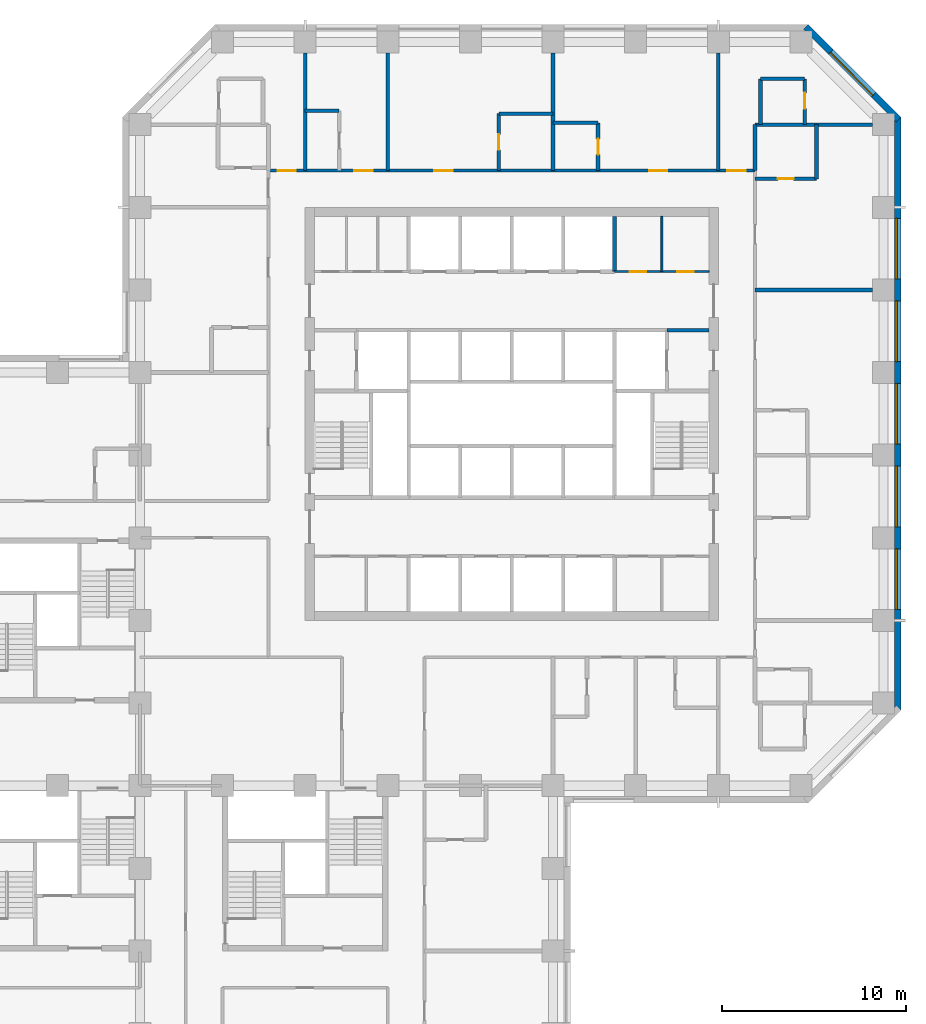
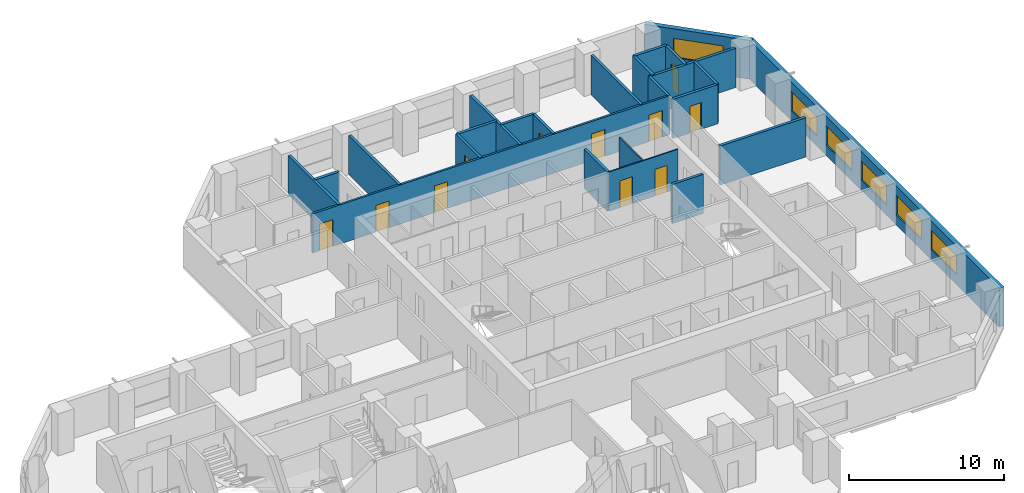
# One storey, part 10 of 13: 24 walls, 11 doors, 6 windows, 17 openings.
"""IFC4 building model written with IfcOpenShell, lengths in metres."""

from ifc_helpers import new_model, si_unit, direction, frame, frame_2d, origin, place, context, subcontext, project, spatial, rectangle, extrude, material, layer, layer_set, constituent, constituent_set, type_object, element, fill, save


model = new_model("IFC4")

# Units and contexts
model_context = context("Model", 3, precision=1e-05, world=origin(), true_north=direction((0.0, 1.0)))
body_context = subcontext(model_context, "Body", "Model", "MODEL_VIEW")
ifc_project = project(units=[si_unit("LENGTHUNIT", "METRE"), si_unit("AREAUNIT", "SQUARE_METRE"), si_unit("VOLUMEUNIT", "CUBIC_METRE"), si_unit("PLANEANGLEUNIT", "RADIAN"), si_unit("MASSUNIT", "GRAM", prefix="KILO")], contexts=[model_context])

# Site, building, storey
site_placement = place(None, origin())
site = spatial("IfcSite", under=ifc_project, at=site_placement, CompositionType="ELEMENT")
building_placement = place(site_placement, origin())
building = spatial("IfcBuilding", under=site, at=building_placement, Name="Quoin Convention Tower", CompositionType="ELEMENT")
storey_placement = place(building_placement, frame((0.0, 0.0, 49.5)))
storey = spatial("IfcBuildingStorey", under=building, at=storey_placement, Name="L12", CompositionType="ELEMENT", Elevation=49.5)

# Wall, openings, windows
ifc_material_1 = material(Name="Brick masonry", Category="masonry")
ifc_layer_1 = layer(ifc_material_1, 0.35009765625)
ifc_layer_set_1 = layer_set([ifc_layer_1], Name="Brick masonry")
wall_type_1 = type_object("IfcWallType", Name="Brick facade wall", PredefinedType="STANDARD", material=ifc_layer_set_1)
wall_1_placement = place(storey_placement, frame((77.27490234375, 44.6064453125, 0.0), z_axis=(0.0, 0.0, 1.0), x_axis=(0.0, 1.0, 0.0)))
wall_1 = element("IfcWall", 1, at=wall_1_placement, inside=storey, type_object=wall_type_1, Name="fw-L12-76500_45000", PredefinedType="STANDARD", context=body_context, shape_type="SweptSolid", body=[
    extrude(rectangle(XDim=32.287109375, YDim=0.35009765625, at=frame_2d((16.1435546875, 0.0))), origin(), (0.0, 0.0, 1.0), 3.054931640625),
])
opening_1_placement = place(wall_1_placement, frame((5.493408203125, 0.0, 0.800048828125)))
opening_1 = element("IfcOpeningElement", 2, at=opening_1_placement, cuts=wall_1, Name="Opening W-01", PredefinedType="OPENING", context=body_context, shape_type="SweptSolid", body=[
    extrude(rectangle(XDim=3.300048828125, YDim=1.5, at=frame_2d((1.64990234375, 0.75))), frame((0.0, 0.18505859375, 0.0), z_axis=(0.0, -1.0, 0.0), x_axis=(1.0, 0.0, 0.0)), (0.0, 0.0, 1.0), 0.3701171875),
])
opening_2_placement = place(wall_1_placement, frame((9.993408203125, 0.0, 0.800048828125)))
opening_2 = element("IfcOpeningElement", 3, at=opening_2_placement, cuts=wall_1, Name="Opening W-01", PredefinedType="OPENING", context=body_context, shape_type="SweptSolid", body=[
    extrude(rectangle(XDim=3.300048828125, YDim=1.5, at=frame_2d((1.64990234375, 0.75))), frame((0.0, 0.18505859375, 0.0), z_axis=(0.0, -1.0, 0.0), x_axis=(1.0, 0.0, 0.0)), (0.0, 0.0, 1.0), 0.3701171875),
])
opening_3_placement = place(wall_1_placement, frame((14.493408203125, 0.0, 0.800048828125)))
opening_3 = element("IfcOpeningElement", 4, at=opening_3_placement, cuts=wall_1, Name="Opening W-01", PredefinedType="OPENING", context=body_context, shape_type="SweptSolid", body=[
    extrude(rectangle(XDim=3.300048828125, YDim=1.5, at=frame_2d((1.64990234375, 0.75))), frame((0.0, 0.18505859375, 0.0), z_axis=(0.0, -1.0, 0.0), x_axis=(1.0, 0.0, 0.0)), (0.0, 0.0, 1.0), 0.3701171875),
])
opening_4_placement = place(wall_1_placement, frame((18.993408203125, 0.0, 0.800048828125)))
opening_4 = element("IfcOpeningElement", 5, at=opening_4_placement, cuts=wall_1, Name="Opening W-01", PredefinedType="OPENING", context=body_context, shape_type="SweptSolid", body=[
    extrude(rectangle(XDim=3.300048828125, YDim=1.5, at=frame_2d((1.64990234375, 0.75))), frame((0.0, 0.18505859375, 0.0), z_axis=(0.0, -1.0, 0.0), x_axis=(1.0, 0.0, 0.0)), (0.0, 0.0, 1.0), 0.3701171875),
])
opening_5_placement = place(wall_1_placement, frame((23.493408203125, 0.0, 0.800048828125)))
opening_5 = element("IfcOpeningElement", 6, at=opening_5_placement, cuts=wall_1, Name="Opening W-01", PredefinedType="OPENING", context=body_context, shape_type="SweptSolid", body=[
    extrude(rectangle(XDim=3.300048828125, YDim=1.5, at=frame_2d((1.64990234375, 0.75))), frame((0.0, 0.18505859375, 0.0), z_axis=(0.0, -1.0, 0.0), x_axis=(1.0, 0.0, 0.0)), (0.0, 0.0, 1.0), 0.3701171875),
])
ifc_material_2 = material(Name="Aluminium", Category="aluminium")
ifc_constituent_1 = constituent(ifc_material_2, Name="Frame")
ifc_material_3 = material(Name="Insulated glass", Category="glass")
ifc_constituent_2 = constituent(ifc_material_3, Name="Glazing")
ifc_constituent_set = constituent_set(constituents=[ifc_constituent_1, ifc_constituent_2], Name="Aluminium")
window_type = type_object("IfcWindowType", Name="Hotel strip window", PartitioningType="DOUBLE_PANEL_VERTICAL", PredefinedType="WINDOW", material=ifc_constituent_set)
window_1_placement = place(opening_1_placement, origin())
window_1 = element("IfcWindow", 7, at=window_1_placement, inside=storey, type_object=window_type, Name="win-L12-77275_51750", OverallHeight=1.5, OverallWidth=3.300048828125, PartitioningType="SINGLE_PANEL", PredefinedType="WINDOW", context=body_context, shape_type="SweptSolid", body=[
    extrude(rectangle(XDim=3.300048828125, YDim=1.5, at=frame_2d((1.64990234375, 0.75))), frame((0.0, 0.0849609375, 0.0), z_axis=(0.0, -1.0, 0.0), x_axis=(1.0, 0.0, 0.0)), (0.0, 0.0, 1.0), 0.06005859375),
])
fill(opening_1, window_1)
window_2_placement = place(opening_2_placement, origin())
window_2 = element("IfcWindow", 8, at=window_2_placement, inside=storey, type_object=window_type, Name="win-L12-77275_56250", OverallHeight=1.5, OverallWidth=3.300048828125, PartitioningType="SINGLE_PANEL", PredefinedType="WINDOW", context=body_context, shape_type="SweptSolid", body=[
    extrude(rectangle(XDim=3.300048828125, YDim=1.5, at=frame_2d((1.64990234375, 0.75))), frame((0.0, 0.0849609375, 0.0), z_axis=(0.0, -1.0, 0.0), x_axis=(1.0, 0.0, 0.0)), (0.0, 0.0, 1.0), 0.06005859375),
])
fill(opening_2, window_2)
window_3_placement = place(opening_3_placement, origin())
window_3 = element("IfcWindow", 9, at=window_3_placement, inside=storey, type_object=window_type, Name="win-L12-77275_60750", OverallHeight=1.5, OverallWidth=3.300048828125, PartitioningType="SINGLE_PANEL", PredefinedType="WINDOW", context=body_context, shape_type="SweptSolid", body=[
    extrude(rectangle(XDim=3.300048828125, YDim=1.5, at=frame_2d((1.64990234375, 0.75))), frame((0.0, 0.0849609375, 0.0), z_axis=(0.0, -1.0, 0.0), x_axis=(1.0, 0.0, 0.0)), (0.0, 0.0, 1.0), 0.06005859375),
])
fill(opening_3, window_3)
window_4_placement = place(opening_4_placement, origin())
window_4 = element("IfcWindow", 10, at=window_4_placement, inside=storey, type_object=window_type, Name="win-L12-77275_65250", OverallHeight=1.5, OverallWidth=3.300048828125, PartitioningType="SINGLE_PANEL", PredefinedType="WINDOW", context=body_context, shape_type="SweptSolid", body=[
    extrude(rectangle(XDim=3.300048828125, YDim=1.5, at=frame_2d((1.64990234375, 0.75))), frame((0.0, 0.0849609375, 0.0), z_axis=(0.0, -1.0, 0.0), x_axis=(1.0, 0.0, 0.0)), (0.0, 0.0, 1.0), 0.06005859375),
])
fill(opening_4, window_4)
window_5_placement = place(opening_5_placement, origin())
window_5 = element("IfcWindow", 11, at=window_5_placement, inside=storey, type_object=window_type, Name="win-L12-77275_69750", OverallHeight=1.5, OverallWidth=3.300048828125, PartitioningType="SINGLE_PANEL", PredefinedType="WINDOW", context=body_context, shape_type="SweptSolid", body=[
    extrude(rectangle(XDim=3.300048828125, YDim=1.5, at=frame_2d((1.64990234375, 0.75))), frame((0.0, 0.0849609375, 0.0), z_axis=(0.0, -1.0, 0.0), x_axis=(1.0, 0.0, 0.0)), (0.0, 0.0, 1.0), 0.06005859375),
])
fill(opening_5, window_5)

# Wall, opening, window
wall_2_placement = place(storey_placement, frame((77.326416015625, 76.769775390625, 0.0), z_axis=(0.0, 0.0, 1.0), x_axis=(-0.707106781187, 0.707106781187, 0.0)))
wall_2 = element("IfcWall", 12, at=wall_2_placement, inside=storey, type_object=wall_type_1, Name="fw-L12-76500_76500", PredefinedType="STANDARD", context=body_context, shape_type="SweptSolid", body=[
    extrude(rectangle(XDim=7.151123046875, YDim=0.35009765625, at=frame_2d((3.57568359375, 0.0))), origin(), (0.0, 0.0, 1.0), 3.054931640625),
])
opening_6_placement = place(wall_2_placement, frame((1.925537109375, 0.0, 0.800048828125)))
opening_6 = element("IfcOpeningElement", 13, at=opening_6_placement, cuts=wall_2, Name="Opening W-01", PredefinedType="OPENING", context=body_context, shape_type="SweptSolid", body=[
    extrude(rectangle(XDim=3.300048828125, YDim=1.5, at=frame_2d((1.64990234375, 0.75))), frame((0.0, 0.18505859375, 0.0), z_axis=(0.0, -1.0, 0.0), x_axis=(1.0, 0.0, 0.0)), (0.0, 0.0, 1.0), 0.3701171875),
])
window_6_placement = place(opening_6_placement, origin())
window_6 = element("IfcWindow", 14, at=window_6_placement, inside=storey, type_object=window_type, Name="win-L12-74798_79298", OverallHeight=1.5, OverallWidth=3.300048828125, PartitioningType="SINGLE_PANEL", PredefinedType="WINDOW", context=body_context, shape_type="SweptSolid", body=[
    extrude(rectangle(XDim=3.300048828125, YDim=1.5, at=frame_2d((1.64990234375, 0.75))), frame((0.0, 0.0849609375, 0.0), z_axis=(0.0, -1.0, 0.0), x_axis=(1.0, 0.0, 0.0)), (0.0, 0.0, 1.0), 0.06005859375),
])
fill(opening_6, window_6)

# Wall, openings, doors
ifc_material_4 = material(Name="Plasterboard")
ifc_layer_2 = layer(ifc_material_4, 0.012451171875, Name="Finish")
ifc_material_5 = material(Name="Steel stud framing", Category="steel")
ifc_layer_3 = layer(ifc_material_5, 0.074951171875, Name="Structure")
ifc_layer_4 = layer(ifc_material_4, 0.012451171875, Name="Finish")
ifc_layer_set_2 = layer_set([ifc_layer_2, ifc_layer_3, ifc_layer_4], Name="Steel stud framing")
wall_type_2 = type_object("IfcWallType", Name="Core partition wall", PredefinedType="PARTITIONING", material=ifc_layer_set_2)
wall_3_placement = place(storey_placement, frame((61.85009765625, 68.5, 0.0), z_axis=(0.0, 0.0, 1.0), x_axis=(1.0, 0.0, 0.0)))
wall_3 = element("IfcWall", 15, at=wall_3_placement, inside=storey, type_object=wall_type_2, Name="cr-C1-L12-h19000_16850", PredefinedType="PARTITIONING", context=body_context, shape_type="SweptSolid", body=[
    extrude(rectangle(XDim=5.14990234375, YDim=0.10009765625, at=frame_2d((2.574951171875, 0.0))), origin(), (0.0, 0.0, 1.0), 3.080078125),
])
opening_7_placement = place(wall_3_placement, frame((3.41259765625, 0.0, 0.0)))
opening_7 = element("IfcOpeningElement", 16, at=opening_7_placement, cuts=wall_3, Name="Opening DCV4-03", PredefinedType="OPENING", context=body_context, shape_type="SweptSolid", body=[
    extrude(rectangle(XDim=0.89990234375, YDim=2.10009765625, at=frame_2d((0.449951171875, 1.050048828125))), frame((0.0, 0.06005859375, 0.0), z_axis=(0.0, -1.0, 0.0), x_axis=(1.0, 0.0, 0.0)), (0.0, 0.0, 1.0), 0.1201171875),
])
opening_8_placement = place(wall_3_placement, frame((0.83740234375, 0.0, 0.0)))
opening_8 = element("IfcOpeningElement", 17, at=opening_8_placement, cuts=wall_3, Name="Opening DCV4-01", PredefinedType="OPENING", context=body_context, shape_type="SweptSolid", body=[
    extrude(rectangle(XDim=0.89990234375, YDim=2.10009765625, at=frame_2d((0.449951171875, 1.050048828125))), frame((0.0, 0.06005859375, 0.0), z_axis=(0.0, -1.0, 0.0), x_axis=(1.0, 0.0, 0.0)), (0.0, 0.0, 1.0), 0.1201171875),
])
ifc_material_6 = material(Name="Steel door leaf", Category="steel")
door_type_1 = type_object("IfcDoorType", Name="Core room door 900 x 2100", OperationType="SINGLE_SWING_LEFT", PredefinedType="DOOR", material=ifc_material_6)
door_1_placement = place(opening_7_placement, origin())
door_1 = element("IfcDoor", 18, at=door_1_placement, inside=storey, type_object=door_type_1, Name="cd-C1-L12-CNE0-lobB-CD1207", OperationType="SINGLE_SWING_RIGHT", OverallHeight=2.10009765625, OverallWidth=0.89990234375, PredefinedType="DOOR", context=body_context, shape_type="SweptSolid", body=[
    extrude(rectangle(XDim=0.89990234375, YDim=2.10009765625, at=frame_2d((0.449951171875, 1.050048828125))), frame((0.0, 0.02490234375, 0.0), z_axis=(0.0, -1.0, 0.0), x_axis=(1.0, 0.0, 0.0)), (0.0, 0.0, 1.0), 0.050048828125),
])
fill(opening_7, door_1)
door_2_placement = place(opening_8_placement, origin())
door_2 = element("IfcDoor", 19, at=door_2_placement, inside=storey, type_object=door_type_1, Name="cd-C1-L12-CNE1-lobB-CD1208", OperationType="SINGLE_SWING_RIGHT", OverallHeight=2.10009765625, OverallWidth=0.89990234375, PredefinedType="DOOR", context=body_context, shape_type="SweptSolid", body=[
    extrude(rectangle(XDim=0.89990234375, YDim=2.10009765625, at=frame_2d((0.449951171875, 1.050048828125))), frame((0.0, 0.02490234375, 0.0), z_axis=(0.0, -1.0, 0.0), x_axis=(1.0, 0.0, 0.0)), (0.0, 0.0, 1.0), 0.050048828125),
])
fill(opening_8, door_2)

# Walls
wall_4_placement = place(storey_placement, frame((64.425048828125, 68.5, 0.0), z_axis=(0.0, 0.0, 1.0), x_axis=(0.0, 1.0, 0.0)))
element("IfcWall", 20, at=wall_4_placement, inside=storey, type_object=wall_type_2, Name="cr-C1-L12-v19425_19000", PredefinedType="PARTITIONING", context=body_context, shape_type="SweptSolid", body=[
    extrude(rectangle(XDim=3.0, YDim=0.10009765625, at=frame_2d((1.5, 0.0))), origin(), (0.0, 0.0, 1.0), 3.080078125),
])
ifc_material_7 = material(Name="Concrete C50", Category="concrete")
ifc_layer_5 = layer(ifc_material_7, 0.199951171875)
ifc_layer_set_3 = layer_set([ifc_layer_5], Name="Concrete C50")
wall_type_3 = type_object("IfcWallType", Name="Core shaft wall", PredefinedType="SOLIDWALL", material=ifc_layer_set_3)
wall_5_placement = place(storey_placement, frame((64.699951171875, 65.300048828125, 0.0), z_axis=(0.0, 0.0, 1.0), x_axis=(1.0, 0.0, 0.0)))
element("IfcWall", 21, at=wall_5_placement, inside=storey, type_object=wall_type_3, Name="cr-C1-L12-h15800_19700", PredefinedType="SOLIDWALL", context=body_context, shape_type="SweptSolid", body=[
    extrude(rectangle(XDim=2.300048828125, YDim=0.199951171875, at=frame_2d((1.14990234375, 0.0))), origin(), (0.0, 0.0, 1.0), 3.080078125),
])
wall_6_placement = place(storey_placement, frame((61.85009765625, 68.5, 0.0), z_axis=(0.0, 0.0, 1.0), x_axis=(0.0, 1.0, 0.0)))
element("IfcWall", 22, at=wall_6_placement, inside=storey, type_object=wall_type_3, Name="cr-C1-L12-v16850_19000", PredefinedType="SOLIDWALL", context=body_context, shape_type="SweptSolid", body=[
    extrude(rectangle(XDim=3.0, YDim=0.199951171875, at=frame_2d((1.5, 0.0))), origin(), (0.0, 0.0, 1.0), 3.080078125),
])
ifc_layer_6 = layer(ifc_material_7, 0.199951171875)
ifc_layer_set_4 = layer_set([ifc_layer_6], Name="Concrete C50")
wall_type_4 = type_object("IfcWallType", Name="RC party wall", PredefinedType="SOLIDWALL", material=ifc_layer_set_4)
wall_7_placement = place(storey_placement, frame((69.5, 67.5, 0.0), z_axis=(0.0, 0.0, 1.0), x_axis=(1.0, 0.0, 0.0)))
element("IfcWall", 23, at=wall_7_placement, inside=storey, type_object=wall_type_4, Name="pw-L12-117", PredefinedType="SOLIDWALL", context=body_context, shape_type="SweptSolid", body=[
    extrude(rectangle(XDim=6.39990234375, YDim=0.199951171875, at=frame_2d((3.199951171875, 0.0))), origin(), (0.0, 0.0, 1.0), 3.080078125),
])

# Wall, opening, door
wall_8_placement = place(storey_placement, frame((69.5, 73.550048828125, 0.0), z_axis=(0.0, 0.0, 1.0), x_axis=(1.0, 0.0, 0.0)))
wall_8 = element("IfcWall", 24, at=wall_8_placement, inside=storey, type_object=wall_type_4, Name="pw-L12-119", PredefinedType="SOLIDWALL", context=body_context, shape_type="SweptSolid", body=[
    extrude(rectangle(XDim=3.35009765625, YDim=0.199951171875, at=frame_2d((1.675048828125, 0.0))), origin(), (0.0, 0.0, 1.0), 3.080078125),
])
opening_9_placement = place(wall_8_placement, frame((1.25, 0.0, 0.0)))
opening_9 = element("IfcOpeningElement", 25, at=opening_9_placement, cuts=wall_8, Name="Opening DHOTEL-A-60", PredefinedType="OPENING", context=body_context, shape_type="SweptSolid", body=[
    extrude(rectangle(XDim=0.85009765625, YDim=2.10009765625, at=frame_2d((0.425048828125, 1.050048828125))), frame((0.0, 0.10986328125, 0.0), z_axis=(0.0, -1.0, 0.0), x_axis=(1.0, 0.0, 0.0)), (0.0, 0.0, 1.0), 0.219970703125),
])
door_type_2 = type_object("IfcDoorType", Name="Bathroom door", OperationType="SINGLE_SWING_LEFT", PredefinedType="DOOR", material=ifc_material_6)
door_3_placement = place(opening_9_placement, frame((0.85009765625, 0.0, 0.0), z_axis=(0.0, 0.0, 1.0), x_axis=(-1.0, 0.0, 0.0)))
door_3 = element("IfcDoor", 26, at=door_3_placement, inside=storey, type_object=door_type_2, Name="dr-L12-042", OperationType="SINGLE_SWING_RIGHT", OverallHeight=2.10009765625, OverallWidth=0.85009765625, PredefinedType="DOOR", context=body_context, shape_type="SweptSolid", body=[
    extrude(rectangle(XDim=0.85009765625, YDim=2.10009765625, at=frame_2d((0.425048828125, 1.050048828125))), frame((0.0, 0.02490234375, 0.0), z_axis=(0.0, -1.0, 0.0), x_axis=(1.0, 0.0, 0.0)), (0.0, 0.0, 1.0), 0.050048828125),
])
fill(opening_9, door_3)

# Walls
wall_9_placement = place(storey_placement, frame((72.85009765625, 73.550048828125, 0.0), z_axis=(0.0, 0.0, 1.0), x_axis=(0.0, 1.0, 0.0)))
element("IfcWall", 27, at=wall_9_placement, inside=storey, type_object=wall_type_4, Name="pw-L12-120", PredefinedType="SOLIDWALL", context=body_context, shape_type="SweptSolid", body=[
    extrude(rectangle(XDim=2.949951171875, YDim=0.199951171875, at=frame_2d((1.47509765625, 0.0))), origin(), (0.0, 0.0, 1.0), 3.080078125),
])
for number, where, z_axis, x_axis, name in (
    (28, (45.0, 74.0, 0.0), (0.0, 0.0, 1.0), (0.0, 1.0, 0.0), "pw-L12-122"),
    (29, (49.5, 74.0, 0.0), (0.0, 0.0, 1.0), (0.0, 1.0, 0.0), "pw-L12-124"),
):
    element("IfcWall", number, at=place(storey_placement, frame(where, z_axis=z_axis, x_axis=x_axis)), inside=storey, type_object=wall_type_4, Name=name, PredefinedType="SOLIDWALL", context=body_context, shape_type="SweptSolid", body=[
        extrude(rectangle(XDim=6.39990234375, YDim=0.199951171875, at=frame_2d((3.199951171875, 0.0))), origin(), (0.0, 0.0, 1.0), 3.080078125),
    ])

# Wall, opening, door
wall_10_placement = place(storey_placement, frame((55.550048828125, 74.0, 0.0), z_axis=(0.0, 0.0, 1.0), x_axis=(0.0, 1.0, 0.0)))
wall_10 = element("IfcWall", 30, at=wall_10_placement, inside=storey, type_object=wall_type_4, Name="pw-L12-125", PredefinedType="SOLIDWALL", context=body_context, shape_type="SweptSolid", body=[
    extrude(rectangle(XDim=3.10009765625, YDim=0.199951171875, at=frame_2d((1.550048828125, 0.0))), origin(), (0.0, 0.0, 1.0), 3.080078125),
])
opening_10_placement = place(wall_10_placement, frame((1.125, 0.0, 0.0)))
opening_10 = element("IfcOpeningElement", 31, at=opening_10_placement, cuts=wall_10, Name="Opening DHOTEL-A-62", PredefinedType="OPENING", context=body_context, shape_type="SweptSolid", body=[
    extrude(rectangle(XDim=0.85009765625, YDim=2.10009765625, at=frame_2d((0.425048828125, 1.050048828125))), frame((0.0, 0.10986328125, 0.0), z_axis=(0.0, -1.0, 0.0), x_axis=(1.0, 0.0, 0.0)), (0.0, 0.0, 1.0), 0.219970703125),
])
door_4_placement = place(opening_10_placement, origin())
door_4 = element("IfcDoor", 32, at=door_4_placement, inside=storey, type_object=door_type_2, Name="dr-L12-038", OperationType="SINGLE_SWING_LEFT", OverallHeight=2.10009765625, OverallWidth=0.85009765625, PredefinedType="DOOR", context=body_context, shape_type="SweptSolid", body=[
    extrude(rectangle(XDim=0.85009765625, YDim=2.10009765625, at=frame_2d((0.425048828125, 1.050048828125))), frame((0.0, 0.02490234375, 0.0), z_axis=(0.0, -1.0, 0.0), x_axis=(1.0, 0.0, 0.0)), (0.0, 0.0, 1.0), 0.050048828125),
])
fill(opening_10, door_4)

# Wall
wall_11_placement = place(storey_placement, frame((58.5, 74.0, 0.0), z_axis=(0.0, 0.0, 1.0), x_axis=(0.0, 1.0, 0.0)))
element("IfcWall", 33, at=wall_11_placement, inside=storey, type_object=wall_type_4, Name="pw-L12-126", PredefinedType="SOLIDWALL", context=body_context, shape_type="SweptSolid", body=[
    extrude(rectangle(XDim=6.39990234375, YDim=0.199951171875, at=frame_2d((3.199951171875, 0.0))), origin(), (0.0, 0.0, 1.0), 3.080078125),
])

# Wall, opening, door
wall_12_placement = place(storey_placement, frame((60.949951171875, 74.0, 0.0), z_axis=(0.0, 0.0, 1.0), x_axis=(0.0, 1.0, 0.0)))
wall_12 = element("IfcWall", 34, at=wall_12_placement, inside=storey, type_object=wall_type_4, Name="pw-L12-127", PredefinedType="SOLIDWALL", context=body_context, shape_type="SweptSolid", body=[
    extrude(rectangle(XDim=2.60009765625, YDim=0.199951171875, at=frame_2d((1.300048828125, 0.0))), origin(), (0.0, 0.0, 1.0), 3.080078125),
])
opening_11_placement = place(wall_12_placement, frame((0.875, 0.0, 0.0)))
opening_11 = element("IfcOpeningElement", 35, at=opening_11_placement, cuts=wall_12, Name="Opening DHOTEL-A-63", PredefinedType="OPENING", context=body_context, shape_type="SweptSolid", body=[
    extrude(rectangle(XDim=0.85009765625, YDim=2.10009765625, at=frame_2d((0.425048828125, 1.050048828125))), frame((0.0, 0.10986328125, 0.0), z_axis=(0.0, -1.0, 0.0), x_axis=(1.0, 0.0, 0.0)), (0.0, 0.0, 1.0), 0.219970703125),
])
door_5_placement = place(opening_11_placement, frame((0.85009765625, 0.0, 0.0), z_axis=(0.0, 0.0, 1.0), x_axis=(-1.0, 0.0, 0.0)))
door_5 = element("IfcDoor", 36, at=door_5_placement, inside=storey, type_object=door_type_2, Name="dr-L12-040", OperationType="SINGLE_SWING_RIGHT", OverallHeight=2.10009765625, OverallWidth=0.85009765625, PredefinedType="DOOR", context=body_context, shape_type="SweptSolid", body=[
    extrude(rectangle(XDim=0.85009765625, YDim=2.10009765625, at=frame_2d((0.425048828125, 1.050048828125))), frame((0.0, 0.02490234375, 0.0), z_axis=(0.0, -1.0, 0.0), x_axis=(1.0, 0.0, 0.0)), (0.0, 0.0, 1.0), 0.050048828125),
])
fill(opening_11, door_5)

# Walls
wall_13_placement = place(storey_placement, frame((67.5, 74.0, 0.0), z_axis=(0.0, 0.0, 1.0), x_axis=(0.0, 1.0, 0.0)))
element("IfcWall", 37, at=wall_13_placement, inside=storey, type_object=wall_type_4, Name="pw-L12-128", PredefinedType="SOLIDWALL", context=body_context, shape_type="SweptSolid", body=[
    extrude(rectangle(XDim=6.39990234375, YDim=0.199951171875, at=frame_2d((3.199951171875, 0.0))), origin(), (0.0, 0.0, 1.0), 3.080078125),
])
wall_14_placement = place(storey_placement, frame((69.5, 74.0, 0.0), z_axis=(0.0, 0.0, 1.0), x_axis=(0.0, 1.0, 0.0)))
element("IfcWall", 38, at=wall_14_placement, inside=storey, type_object=wall_type_4, Name="pw-L12-129", PredefinedType="SOLIDWALL", context=body_context, shape_type="SweptSolid", body=[
    extrude(rectangle(XDim=2.5, YDim=0.199951171875, at=frame_2d((1.25, 0.0))), origin(), (0.0, 0.0, 1.0), 3.080078125),
])
wall_15_placement = place(storey_placement, frame((69.5, 76.5, 0.0), z_axis=(0.0, 0.0, 1.0), x_axis=(1.0, 0.0, 0.0)))
element("IfcWall", 39, at=wall_15_placement, inside=storey, type_object=wall_type_4, Name="pw-L12-135", PredefinedType="SOLIDWALL", context=body_context, shape_type="SweptSolid", body=[
    extrude(rectangle(XDim=6.39990234375, YDim=0.199951171875, at=frame_2d((3.199951171875, 0.0))), origin(), (0.0, 0.0, 1.0), 3.080078125),
])
wall_16_placement = place(storey_placement, frame((69.800048828125, 76.5, 0.0), z_axis=(0.0, 0.0, 1.0), x_axis=(0.0, 1.0, 0.0)))
element("IfcWall", 40, at=wall_16_placement, inside=storey, type_object=wall_type_4, Name="pw-L12-136", PredefinedType="SOLIDWALL", context=body_context, shape_type="SweptSolid", body=[
    extrude(rectangle(XDim=2.5, YDim=0.199951171875, at=frame_2d((1.25, 0.0))), origin(), (0.0, 0.0, 1.0), 3.080078125),
])

# Wall, opening, door
wall_17_placement = place(storey_placement, frame((72.199951171875, 76.5, 0.0), z_axis=(0.0, 0.0, 1.0), x_axis=(0.0, 1.0, 0.0)))
wall_17 = element("IfcWall", 41, at=wall_17_placement, inside=storey, type_object=wall_type_4, Name="pw-L12-137", PredefinedType="SOLIDWALL", context=body_context, shape_type="SweptSolid", body=[
    extrude(rectangle(XDim=2.5, YDim=0.199951171875, at=frame_2d((1.25, 0.0))), origin(), (0.0, 0.0, 1.0), 3.080078125),
])
opening_12_placement = place(wall_17_placement, frame((0.875, 0.0, 0.0)))
opening_12 = element("IfcOpeningElement", 42, at=opening_12_placement, cuts=wall_17, Name="Opening DHOTEL-A-66", PredefinedType="OPENING", context=body_context, shape_type="SweptSolid", body=[
    extrude(rectangle(XDim=0.85009765625, YDim=2.10009765625, at=frame_2d((0.425048828125, 1.050048828125))), frame((0.0, 0.10986328125, 0.0), z_axis=(0.0, -1.0, 0.0), x_axis=(1.0, 0.0, 0.0)), (0.0, 0.0, 1.0), 0.219970703125),
])
door_6_placement = place(opening_12_placement, frame((0.85009765625, 0.0, 0.0), z_axis=(0.0, 0.0, 1.0), x_axis=(-1.0, 0.0, 0.0)))
door_6 = element("IfcDoor", 43, at=door_6_placement, inside=storey, type_object=door_type_2, Name="dr-L12-062", OperationType="SINGLE_SWING_LEFT", OverallHeight=2.10009765625, OverallWidth=0.85009765625, PredefinedType="DOOR", context=body_context, shape_type="SweptSolid", body=[
    extrude(rectangle(XDim=0.85009765625, YDim=2.10009765625, at=frame_2d((0.425048828125, 1.050048828125))), frame((0.0, 0.02490234375, 0.0), z_axis=(0.0, -1.0, 0.0), x_axis=(1.0, 0.0, 0.0)), (0.0, 0.0, 1.0), 0.050048828125),
])
fill(opening_12, door_6)

# Walls
wall_18_placement = place(storey_placement, frame((58.5, 76.60009765625, 0.0), z_axis=(0.0, 0.0, 1.0), x_axis=(1.0, 0.0, 0.0)))
element("IfcWall", 44, at=wall_18_placement, inside=storey, type_object=wall_type_4, Name="pw-L12-138", PredefinedType="SOLIDWALL", context=body_context, shape_type="SweptSolid", body=[
    extrude(rectangle(XDim=2.449951171875, YDim=0.199951171875, at=frame_2d((1.22509765625, 0.0))), origin(), (0.0, 0.0, 1.0), 3.080078125),
])
wall_19_placement = place(storey_placement, frame((55.550048828125, 77.10009765625, 0.0), z_axis=(0.0, 0.0, 1.0), x_axis=(1.0, 0.0, 0.0)))
element("IfcWall", 45, at=wall_19_placement, inside=storey, type_object=wall_type_4, Name="pw-L12-139", PredefinedType="SOLIDWALL", context=body_context, shape_type="SweptSolid", body=[
    extrude(rectangle(XDim=2.949951171875, YDim=0.199951171875, at=frame_2d((1.47509765625, 0.0))), origin(), (0.0, 0.0, 1.0), 3.080078125),
])
wall_20_placement = place(storey_placement, frame((45.0, 77.25, 0.0), z_axis=(0.0, 0.0, 1.0), x_axis=(1.0, 0.0, 0.0)))
element("IfcWall", 46, at=wall_20_placement, inside=storey, type_object=wall_type_4, Name="pw-L12-140", PredefinedType="SOLIDWALL", context=body_context, shape_type="SweptSolid", body=[
    extrude(rectangle(XDim=1.85009765625, YDim=0.199951171875, at=frame_2d((0.925048828125, 0.0))), origin(), (0.0, 0.0, 1.0), 3.080078125),
])
wall_21_placement = place(storey_placement, frame((69.800048828125, 79.0, 0.0), z_axis=(0.0, 0.0, 1.0), x_axis=(1.0, 0.0, 0.0)))
element("IfcWall", 47, at=wall_21_placement, inside=storey, type_object=wall_type_4, Name="pw-L12-142", PredefinedType="SOLIDWALL", context=body_context, shape_type="SweptSolid", body=[
    extrude(rectangle(XDim=2.39990234375, YDim=0.199951171875, at=frame_2d((1.199951171875, 0.0))), origin(), (0.0, 0.0, 1.0), 3.080078125),
])

# Wall, openings, doors
ifc_layer_7 = layer(ifc_material_4, 0.012451171875, Name="Finish")
ifc_layer_8 = layer(ifc_material_5, 0.125, Name="Structure")
ifc_layer_9 = layer(ifc_material_4, 0.012451171875, Name="Finish")
ifc_layer_set_5 = layer_set([ifc_layer_7, ifc_layer_8, ifc_layer_9], Name="Steel stud framing")
wall_type_5 = type_object("IfcWallType", Name="corridor partition", PredefinedType="PARTITIONING", material=ifc_layer_set_5)
wall_22_placement = place(storey_placement, frame((43.0, 74.0, 0.0), z_axis=(0.0, 0.0, 1.0), x_axis=(1.0, 0.0, 0.0)))
wall_22 = element("IfcWall", 48, at=wall_22_placement, inside=storey, type_object=wall_type_5, Name="pw-L12-036", PredefinedType="PARTITIONING", context=body_context, shape_type="SweptSolid", body=[
    extrude(rectangle(XDim=26.5, YDim=0.14990234375, at=frame_2d((13.25, 0.0))), origin(), (0.0, 0.0, 1.0), 3.080078125),
])
opening_13_placement = place(wall_22_placement, frame((4.675048828125, 0.0, 0.0)))
opening_13 = element("IfcOpeningElement", 49, at=opening_13_placement, cuts=wall_22, Name="Opening DHOTEL-A-35", PredefinedType="OPENING", context=body_context, shape_type="SweptSolid", body=[
    extrude(rectangle(XDim=1.0, YDim=2.10009765625, at=frame_2d((0.5, 1.050048828125))), frame((0.0, 0.0849609375, 0.0), z_axis=(0.0, -1.0, 0.0), x_axis=(1.0, 0.0, 0.0)), (0.0, 0.0, 1.0), 0.169921875),
])
opening_14_placement = place(wall_22_placement, frame((9.02490234375, 0.0, 0.0)))
opening_14 = element("IfcOpeningElement", 50, at=opening_14_placement, cuts=wall_22, Name="Opening DHOTEL-A-36", PredefinedType="OPENING", context=body_context, shape_type="SweptSolid", body=[
    extrude(rectangle(XDim=1.0, YDim=2.10009765625, at=frame_2d((0.5, 1.050048828125))), frame((0.0, 0.0849609375, 0.0), z_axis=(0.0, -1.0, 0.0), x_axis=(1.0, 0.0, 0.0)), (0.0, 0.0, 1.0), 0.169921875),
])
opening_15_placement = place(wall_22_placement, frame((20.72509765625, 0.0, 0.0)))
opening_15 = element("IfcOpeningElement", 51, at=opening_15_placement, cuts=wall_22, Name="Opening DHOTEL-A-37", PredefinedType="OPENING", context=body_context, shape_type="SweptSolid", body=[
    extrude(rectangle(XDim=1.0, YDim=2.10009765625, at=frame_2d((0.5, 1.050048828125))), frame((0.0, 0.0849609375, 0.0), z_axis=(0.0, -1.0, 0.0), x_axis=(1.0, 0.0, 0.0)), (0.0, 0.0, 1.0), 0.169921875),
])
opening_16_placement = place(wall_22_placement, frame((0.5, 0.0, 0.0)))
opening_16 = element("IfcOpeningElement", 52, at=opening_16_placement, cuts=wall_22, Name="Opening DHOTEL-A-34", PredefinedType="OPENING", context=body_context, shape_type="SweptSolid", body=[
    extrude(rectangle(XDim=1.0, YDim=2.10009765625, at=frame_2d((0.5, 1.050048828125))), frame((0.0, 0.0849609375, 0.0), z_axis=(0.0, -1.0, 0.0), x_axis=(1.0, 0.0, 0.0)), (0.0, 0.0, 1.0), 0.169921875),
])
opening_17_placement = place(wall_22_placement, frame((25.0, 0.0, 0.0)))
opening_17 = element("IfcOpeningElement", 53, at=opening_17_placement, cuts=wall_22, Name="Opening DHOTEL-A-38", PredefinedType="OPENING", context=body_context, shape_type="SweptSolid", body=[
    extrude(rectangle(XDim=1.0, YDim=2.10009765625, at=frame_2d((0.5, 1.050048828125))), frame((0.0, 0.0849609375, 0.0), z_axis=(0.0, -1.0, 0.0), x_axis=(1.0, 0.0, 0.0)), (0.0, 0.0, 1.0), 0.169921875),
])
door_type_3 = type_object("IfcDoorType", Name="Hotel room door", OperationType="SINGLE_SWING_LEFT", PredefinedType="DOOR", material=ifc_material_6)
door_7_placement = place(opening_13_placement, origin())
door_7 = element("IfcDoor", 54, at=door_7_placement, inside=storey, type_object=door_type_3, Name="dr-L12-035", OperationType="SINGLE_SWING_RIGHT", OverallHeight=2.10009765625, OverallWidth=1.0, PredefinedType="DOOR", context=body_context, shape_type="SweptSolid", body=[
    extrude(rectangle(XDim=1.0, YDim=2.10009765625, at=frame_2d((0.5, 1.050048828125))), frame((0.0, 0.02490234375, 0.0), z_axis=(0.0, -1.0, 0.0), x_axis=(1.0, 0.0, 0.0)), (0.0, 0.0, 1.0), 0.050048828125),
])
fill(opening_13, door_7)
door_8_placement = place(opening_14_placement, origin())
door_8 = element("IfcDoor", 55, at=door_8_placement, inside=storey, type_object=door_type_3, Name="dr-L12-037", OperationType="SINGLE_SWING_RIGHT", OverallHeight=2.10009765625, OverallWidth=1.0, PredefinedType="DOOR", context=body_context, shape_type="SweptSolid", body=[
    extrude(rectangle(XDim=1.0, YDim=2.10009765625, at=frame_2d((0.5, 1.050048828125))), frame((0.0, 0.02490234375, 0.0), z_axis=(0.0, -1.0, 0.0), x_axis=(1.0, 0.0, 0.0)), (0.0, 0.0, 1.0), 0.050048828125),
])
fill(opening_14, door_8)
door_9_placement = place(opening_15_placement, origin())
door_9 = element("IfcDoor", 56, at=door_9_placement, inside=storey, type_object=door_type_3, Name="dr-L12-039", OperationType="SINGLE_SWING_RIGHT", OverallHeight=2.10009765625, OverallWidth=1.0, PredefinedType="DOOR", context=body_context, shape_type="SweptSolid", body=[
    extrude(rectangle(XDim=1.0, YDim=2.10009765625, at=frame_2d((0.5, 1.050048828125))), frame((0.0, 0.02490234375, 0.0), z_axis=(0.0, -1.0, 0.0), x_axis=(1.0, 0.0, 0.0)), (0.0, 0.0, 1.0), 0.050048828125),
])
fill(opening_15, door_9)
door_10_placement = place(opening_16_placement, origin())
door_10 = element("IfcDoor", 57, at=door_10_placement, inside=storey, type_object=door_type_3, Name="dr-L12-059", OperationType="SINGLE_SWING_RIGHT", OverallHeight=2.10009765625, OverallWidth=1.0, PredefinedType="DOOR", context=body_context, shape_type="SweptSolid", body=[
    extrude(rectangle(XDim=1.0, YDim=2.10009765625, at=frame_2d((0.5, 1.050048828125))), frame((0.0, 0.02490234375, 0.0), z_axis=(0.0, -1.0, 0.0), x_axis=(1.0, 0.0, 0.0)), (0.0, 0.0, 1.0), 0.050048828125),
])
fill(opening_16, door_10)
door_11_placement = place(opening_17_placement, origin())
door_11 = element("IfcDoor", 58, at=door_11_placement, inside=storey, type_object=door_type_3, Name="dr-L12-061", OperationType="SINGLE_SWING_RIGHT", OverallHeight=2.10009765625, OverallWidth=1.0, PredefinedType="DOOR", context=body_context, shape_type="SweptSolid", body=[
    extrude(rectangle(XDim=1.0, YDim=2.10009765625, at=frame_2d((0.5, 1.050048828125))), frame((0.0, 0.02490234375, 0.0), z_axis=(0.0, -1.0, 0.0), x_axis=(1.0, 0.0, 0.0)), (0.0, 0.0, 1.0), 0.050048828125),
])
fill(opening_17, door_11)

save(model, "model.ifc")
